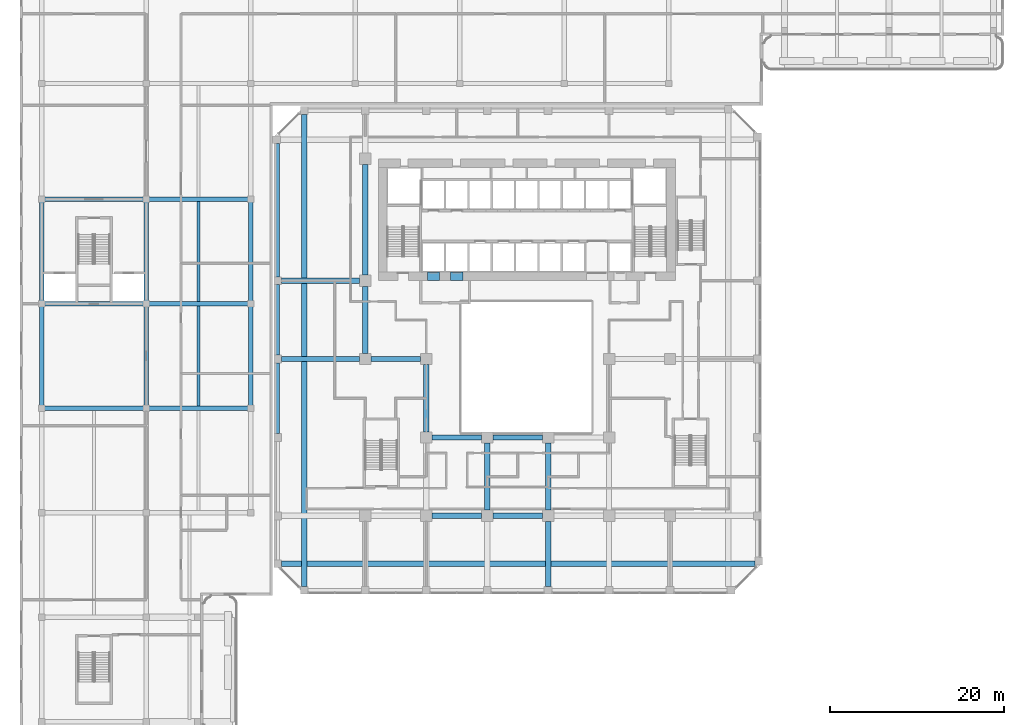
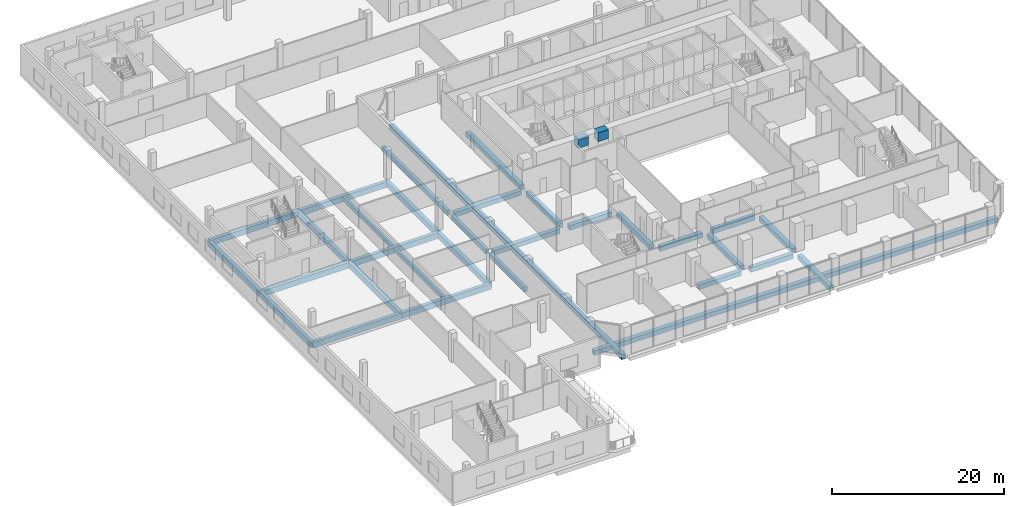
# One storey, part 4 of 36: 34 beams.
"""IFC4 building model written with IfcOpenShell, lengths in metres."""

from ifc_helpers import new_model, si_unit, direction, frame, origin, origin_2d, place, context, subcontext, project, spatial, rectangle, extrude, source, transform, mapped, material, material_profile, profile_set, type_object, element, save


model = new_model("IFC4")

# Units and contexts
model_context = context("Model", 3, precision=1e-05, world=origin(), true_north=direction((0.0, 1.0)))
body_context = subcontext(model_context, "Body", "Model", "MODEL_VIEW")
ifc_project = project(units=[si_unit("LENGTHUNIT", "METRE"), si_unit("AREAUNIT", "SQUARE_METRE"), si_unit("VOLUMEUNIT", "CUBIC_METRE"), si_unit("PLANEANGLEUNIT", "RADIAN"), si_unit("MASSUNIT", "GRAM", prefix="KILO")], contexts=[model_context])

# Site, building, storey
site_placement = place(None, origin())
site = spatial("IfcSite", under=ifc_project, at=site_placement, CompositionType="ELEMENT")
building_placement = place(site_placement, origin())
building = spatial("IfcBuilding", under=site, at=building_placement, Name="Kilnfold Tower and Market Hall", CompositionType="ELEMENT")
storey_placement = place(building_placement, frame((0.0, 0.0, 18.0)))
storey = spatial("IfcBuildingStorey", under=building, at=storey_placement, Name="L03", CompositionType="ELEMENT", Elevation=18.0)

# Beams
ifc_material_1 = material(Name="Concrete C40/50", Category="concrete")
ifc_material_profile_1 = material_profile(ifc_material_1, rectangle(XDim=0.5, YDim=0.800048828125, at=origin_2d()), Name="RC 500x800")
ifc_profile_set_1 = profile_set([ifc_material_profile_1], Name="Concrete C40/50")
beam_type_1 = type_object("IfcBeamType", Name="HALL GIRDER 500X800", PredefinedType="BEAM", material=ifc_profile_set_1)
for number, where, z_axis, x_axis, name in (
    (1, (-54.64990234375, -6.64990234375, -0.800048828125), (0.0, 1.0, 0.0), (-1.0, 0.0, 0.0), "Beam MG2.7"),
    (2, (-54.64990234375, -6.64990234375, -0.800048828125), (1.0, 0.0, 0.0), (0.0, 1.0, 0.0), "Beam MG2.8"),
    (3, (-54.64990234375, 5.35009765625, -0.800048828125), (0.0, 1.0, 0.0), (-1.0, 0.0, 0.0), "Beam MG2.9"),
    (4, (-54.64990234375, 5.35009765625, -0.800048828125), (1.0, 0.0, 0.0), (0.0, 1.0, 0.0), "Beam MG2.10"),
    (5, (-54.64990234375, 17.35009765625, -0.800048828125), (1.0, 0.0, 0.0), (0.0, 1.0, 0.0), "Beam MG2.12"),
    (6, (-42.64990234375, -6.64990234375, -0.800048828125), (0.0, 1.0, 0.0), (-1.0, 0.0, 0.0), "Beam MG2.22"),
    (7, (-42.64990234375, -6.64990234375, -0.800048828125), (1.0, 0.0, 0.0), (0.0, 1.0, 0.0), "Beam MG2.23"),
    (8, (-42.64990234375, 5.35009765625, -0.800048828125), (0.0, 1.0, 0.0), (-1.0, 0.0, 0.0), "Beam MG2.24"),
    (9, (-42.64990234375, 5.35009765625, -0.800048828125), (1.0, 0.0, 0.0), (0.0, 1.0, 0.0), "Beam MG2.25"),
    (10, (-42.64990234375, 17.35009765625, -0.800048828125), (1.0, 0.0, 0.0), (0.0, 1.0, 0.0), "Beam MG2.27"),
    (11, (-30.64990234375, -6.64990234375, -0.800048828125), (0.0, 1.0, 0.0), (-1.0, 0.0, 0.0), "Beam MG2.35"),
    (12, (-30.64990234375, 5.35009765625, -0.800048828125), (0.0, 1.0, 0.0), (-1.0, 0.0, 0.0), "Beam MG2.36"),
):
    element("IfcBeam", number, at=place(storey_placement, frame(where, z_axis=z_axis, x_axis=x_axis)), inside=storey, type_object=beam_type_1, Name=name, PredefinedType="BEAM", context=body_context, shape_type="SweptSolid", body=[
        extrude(rectangle(XDim=0.5, YDim=0.800048828125, at=origin_2d()), origin(), (0.0, 0.0, 1.0), 12.0),
    ])
ifc_material_2 = material(Name="Concrete C40/50", Category="concrete")
ifc_material_profile_2 = material_profile(ifc_material_2, rectangle(XDim=0.35009765625, YDim=0.60009765625, at=origin_2d()), Name="RC 350x600")
ifc_profile_set_2 = profile_set([ifc_material_profile_2], Name="Concrete C40/50")
beam_type_2 = type_object("IfcBeamType", Name="HALL JOIST 350X600", PredefinedType="BEAM", material=ifc_profile_set_2)
for number, where, z_axis, x_axis, name in (
    (13, (-36.64990234375, -6.39990234375, -0.699951171875), (0.0, 1.0, 0.0), (-1.0, 0.0, 0.0), "Beam MJ1.6"),
    (14, (-36.64990234375, 5.60009765625, -0.699951171875), (0.0, 1.0, 0.0), (-1.0, 0.0, 0.0), "Beam MJ1.7"),
):
    element("IfcBeam", number, at=place(storey_placement, frame(where, z_axis=z_axis, x_axis=x_axis)), inside=storey, type_object=beam_type_2, Name=name, PredefinedType="BEAM", context=body_context, shape_type="SweptSolid", body=[
        extrude(rectangle(XDim=0.35009765625, YDim=0.60009765625, at=origin_2d()), origin(), (0.0, 0.0, 1.0), 11.5),
    ])
ifc_material_3 = material(Name="Concrete C80", Category="concrete")
ifc_material_profile_3 = material_profile(ifc_material_3, rectangle(XDim=1.0, YDim=1.199951171875, at=origin_2d()), Name="RC 1000x1200")
ifc_profile_set_3 = profile_set([ifc_material_profile_3], Name="Concrete C80")
beam_type_3 = type_object("IfcBeamType", Name="COUPLING BEAM 1000X1200 C80", PredefinedType="BEAM", material=ifc_profile_set_3)
shared_shape_1 = source(origin(), body_context, "Body", "SweptSolid", [
    extrude(rectangle(XDim=1.0, YDim=1.199951171875, at=origin_2d()), origin(), (0.0, 0.0, 1.0), 1.400146484375),
])
beam_1_placement = place(storey_placement, frame((-10.3701171875, 8.5, 3.300048828125), z_axis=(1.0, 0.0, 0.0), x_axis=(0.0, 1.0, 0.0)))
element("IfcBeam", 15, at=beam_1_placement, inside=storey, type_object=beam_type_3, Name="Coupling beam CB1200-80-CORE.42", PredefinedType="BEAM", context=body_context, shape_type="MappedRepresentation", body=[
    mapped(shared_shape_1, transform((0.0, 0.0, 0.0))),
])
ifc_material_4 = material(Name="Concrete C80", Category="concrete")
ifc_material_profile_4 = material_profile(ifc_material_4, rectangle(XDim=1.0, YDim=1.25, at=origin_2d()), Name="RC 1000x1250")
ifc_profile_set_4 = profile_set([ifc_material_profile_4], Name="Concrete C80")
beam_type_4 = type_object("IfcBeamType", Name="COUPLING BEAM 1000X1250 C80", PredefinedType="BEAM", material=ifc_profile_set_4)
shared_shape_2 = source(origin(), body_context, "Body", "SweptSolid", [
    extrude(rectangle(XDim=1.0, YDim=1.25, at=origin_2d()), origin(), (0.0, 0.0, 1.0), 1.39990234375),
])
beam_2_placement = place(storey_placement, frame((-7.68994140625, 8.5, 3.324951171875), z_axis=(1.0, 0.0, 0.0), x_axis=(0.0, 1.0, 0.0)))
element("IfcBeam", 16, at=beam_2_placement, inside=storey, type_object=beam_type_4, Name="Coupling beam CB1250-80-CORE.44", PredefinedType="BEAM", context=body_context, shape_type="MappedRepresentation", body=[
    mapped(shared_shape_2, transform((0.0, 0.0, 0.0))),
])
ifc_material_5 = material(Name="Concrete C45", Category="concrete")
ifc_material_profile_5 = material_profile(ifc_material_5, rectangle(XDim=0.60009765625, YDim=0.64990234375, at=origin_2d()), Name="RC 600x650")
ifc_profile_set_5 = profile_set([ifc_material_profile_5], Name="Concrete C45")
beam_type_5 = type_object("IfcBeamType", Name="BEAM 600X650 C45", PredefinedType="BEAM", material=ifc_profile_set_5)
shared_shape_3 = source(origin(), body_context, "Body", "SweptSolid", [
    extrude(rectangle(XDim=0.60009765625, YDim=0.64990234375, at=origin_2d()), origin(), (0.0, 0.0, 1.0), 8.9501953125),
])
for number, where, z_axis, x_axis, name in (
    (17, (-27.10009765625, -1.0, -0.72509765625), (1.0, 0.0, 0.0), (0.0, 1.0, 0.0), "Beam BB650-B1.16"),
    (18, (-27.10009765625, 8.0, -0.72509765625), (1.0, 0.0, 0.0), (0.0, 1.0, 0.0), "Beam BB650-B1.21"),
):
    element("IfcBeam", number, at=place(storey_placement, frame(where, z_axis=z_axis, x_axis=x_axis)), inside=storey, type_object=beam_type_5, Name=name, PredefinedType="BEAM", context=body_context, shape_type="MappedRepresentation", body=[
        mapped(shared_shape_3, transform((0.0, 0.0, 0.0))),
    ])
shared_shape_4 = source(origin(), body_context, "Body", "SweptSolid", [
    extrude(rectangle(XDim=0.60009765625, YDim=0.64990234375, at=origin_2d()), origin(), (0.0, 0.0, 1.0), 5.7001953125),
])
for number, where, z_axis, x_axis, name in (
    (19, (-9.85009765625, -19.0, -0.72509765625), (1.0, 0.0, 0.0), (0.0, 1.0, 0.0), "Beam BB650-B1.8"),
    (20, (-2.85009765625, -19.0, -0.72509765625), (1.0, 0.0, 0.0), (0.0, 1.0, 0.0), "Beam BB650-B1.9"),
    (21, (-9.85009765625, -10.0, -0.72509765625), (1.0, 0.0, 0.0), (0.0, 1.0, 0.0), "Beam BB650-B1.13"),
    (22, (-2.85009765625, -10.0, -0.72509765625), (1.0, 0.0, 0.0), (0.0, 1.0, 0.0), "Beam BB650-B1.14"),
    (23, (-16.85009765625, -1.0, -0.72509765625), (1.0, 0.0, 0.0), (0.0, 1.0, 0.0), "Beam BB650-B1.17"),
):
    element("IfcBeam", number, at=place(storey_placement, frame(where, z_axis=z_axis, x_axis=x_axis)), inside=storey, type_object=beam_type_5, Name=name, PredefinedType="BEAM", context=body_context, shape_type="MappedRepresentation", body=[
        mapped(shared_shape_4, transform((0.0, 0.0, 0.0))),
    ])
shared_shape_5 = source(origin(), body_context, "Body", "SweptSolid", [
    extrude(rectangle(XDim=0.60009765625, YDim=0.64990234375, at=origin_2d()), origin(), (0.0, 0.0, 1.0), 54.331787109375),
])
beam_3_placement = place(storey_placement, frame((-27.10009765625, -24.5, -0.72509765625), z_axis=(1.0, 0.0, 0.0), x_axis=(0.0, 1.0, 0.0)))
element("IfcBeam", 24, at=beam_3_placement, inside=storey, type_object=beam_type_5, Name="Beam BB650-B1.55", PredefinedType="BEAM", context=body_context, shape_type="MappedRepresentation", body=[
    mapped(shared_shape_5, transform((0.0, 0.0, 0.0))),
])
ifc_material_6 = material(Name="Concrete C45", Category="concrete")
ifc_material_profile_6 = material_profile(ifc_material_6, rectangle(XDim=0.449951171875, YDim=0.64990234375, at=origin_2d()), Name="RC 450x650")
ifc_profile_set_6 = profile_set([ifc_material_profile_6], Name="Concrete C45")
beam_type_6 = type_object("IfcBeamType", Name="EDGE BEAM 450X650 C45", PredefinedType="BEAM", material=ifc_profile_set_6)
shared_shape_6 = source(origin(), body_context, "Body", "SweptSolid", [
    extrude(rectangle(XDim=0.449951171875, YDim=0.64990234375, at=origin_2d()), origin(), (0.0, 0.0, 1.0), 8.10009765625),
])
for number, where, z_axis, x_axis, name in (
    (25, (-27.550048828125, -9.550048828125, -0.72509765625), (0.0, 1.0, 0.0), (-1.0, 0.0, 0.0), "Beam EB650-B1.32"),
    (26, (-27.550048828125, -0.550048828125, -0.72509765625), (0.0, 1.0, 0.0), (-1.0, 0.0, 0.0), "Beam EB650-B1.33"),
):
    element("IfcBeam", number, at=place(storey_placement, frame(where, z_axis=z_axis, x_axis=x_axis)), inside=storey, type_object=beam_type_6, Name=name, PredefinedType="BEAM", context=body_context, shape_type="MappedRepresentation", body=[
        mapped(shared_shape_6, transform((0.0, 0.0, 0.0))),
    ])
shared_shape_7 = source(origin(), body_context, "Body", "SweptSolid", [
    extrude(rectangle(XDim=0.449951171875, YDim=0.64990234375, at=origin_2d()), origin(), (0.0, 0.0, 1.0), 15.28173828125),
])
beam_4_placement = place(storey_placement, frame((-27.550048828125, 8.449951171875, -0.72509765625), z_axis=(0.0, 1.0, 0.0), x_axis=(-1.0, 0.0, 0.0)))
element("IfcBeam", 27, at=beam_4_placement, inside=storey, type_object=beam_type_6, Name="Beam EB650-B1.34", PredefinedType="BEAM", context=body_context, shape_type="MappedRepresentation", body=[
    mapped(shared_shape_7, transform((0.0, 0.0, 0.0))),
])
shared_shape_8 = source(origin(), body_context, "Body", "SweptSolid", [
    extrude(rectangle(XDim=0.60009765625, YDim=0.64990234375, at=origin_2d()), origin(), (0.0, 0.0, 1.0), 54.2001953125),
])
beam_5_placement = place(storey_placement, frame((-24.5, -27.10009765625, -0.72509765625), z_axis=(0.0, 1.0, 0.0), x_axis=(-1.0, 0.0, 0.0)))
element("IfcBeam", 28, at=beam_5_placement, inside=storey, type_object=beam_type_5, Name="Beam BB650-B1.35", PredefinedType="BEAM", context=body_context, shape_type="MappedRepresentation", body=[
    mapped(shared_shape_8, transform((0.0, 0.0, 0.0))),
])
shared_shape_9 = source(origin(), body_context, "Body", "SweptSolid", [
    extrude(rectangle(XDim=0.60009765625, YDim=0.64990234375, at=origin_2d()), origin(), (0.0, 0.0, 1.0), 7.4501953125),
])
beam_6_placement = place(storey_placement, frame((3.5, -27.10009765625, -0.72509765625), z_axis=(0.0, 1.0, 0.0), x_axis=(-1.0, 0.0, 0.0)))
element("IfcBeam", 29, at=beam_6_placement, inside=storey, type_object=beam_type_5, Name="Beam BB650-B1.45", PredefinedType="BEAM", context=body_context, shape_type="MappedRepresentation", body=[
    mapped(shared_shape_9, transform((0.0, 0.0, 0.0))),
])
shared_shape_10 = source(origin(), body_context, "Body", "SweptSolid", [
    extrude(rectangle(XDim=0.60009765625, YDim=0.64990234375, at=origin_2d()), origin(), (0.0, 0.0, 1.0), 7.7001953125),
])
for number, where, z_axis, x_axis, name in (
    (30, (-17.5, -0.35009765625, -0.72509765625), (0.0, 1.0, 0.0), (-1.0, 0.0, 0.0), "Beam BB650-B1.37"),
    (31, (-10.5, -9.35009765625, -0.72509765625), (0.0, 1.0, 0.0), (-1.0, 0.0, 0.0), "Beam BB650-B1.42"),
    (32, (-3.5, -18.35009765625, -0.72509765625), (0.0, 1.0, 0.0), (-1.0, 0.0, 0.0), "Beam BB650-B1.44"),
    (33, (3.5, -18.35009765625, -0.72509765625), (0.0, 1.0, 0.0), (-1.0, 0.0, 0.0), "Beam BB650-B1.46"),
):
    element("IfcBeam", number, at=place(storey_placement, frame(where, z_axis=z_axis, x_axis=x_axis)), inside=storey, type_object=beam_type_5, Name=name, PredefinedType="BEAM", context=body_context, shape_type="MappedRepresentation", body=[
        mapped(shared_shape_10, transform((0.0, 0.0, 0.0))),
    ])
shared_shape_11 = source(origin(), body_context, "Body", "SweptSolid", [
    extrude(rectangle(XDim=0.60009765625, YDim=0.64990234375, at=origin_2d()), origin(), (0.0, 0.0, 1.0), 12.7001953125),
])
beam_7_placement = place(storey_placement, frame((-17.5, 8.64990234375, -0.72509765625), z_axis=(0.0, 1.0, 0.0), x_axis=(-1.0, 0.0, 0.0)))
element("IfcBeam", 34, at=beam_7_placement, inside=storey, type_object=beam_type_5, Name="Beam BB650-B1.38", PredefinedType="BEAM", context=body_context, shape_type="MappedRepresentation", body=[
    mapped(shared_shape_11, transform((0.0, 0.0, 0.0))),
])

save(model, "model.ifc")
